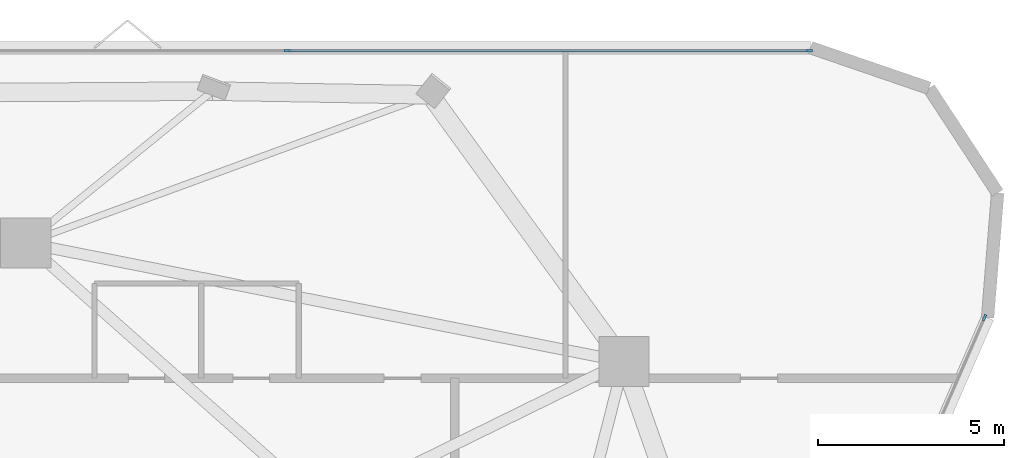
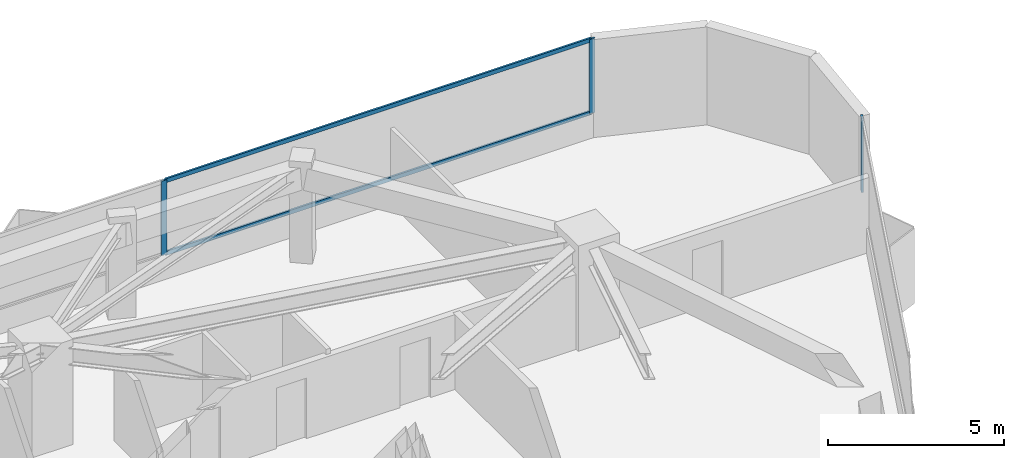
# One storey, part 8 of 12: 5 members, 2 elements without a shape of their own.
"""IFC4 building model written with IfcOpenShell, lengths in metres."""

from ifc_helpers import new_model, si_unit, direction, frame, origin, origin_2d, place, context, subcontext, project, spatial, rectangle, extrude, material, layer, layer_set, material_profile, profile_set, type_object, element, aggregate, save


model = new_model("IFC4")

# Units and contexts
model_context = context("Model", 3, precision=1e-05, world=origin(), true_north=direction((0.0, 1.0)))
body_context = subcontext(model_context, "Body", "Model", "MODEL_VIEW")
ifc_project = project(units=[si_unit("LENGTHUNIT", "METRE"), si_unit("AREAUNIT", "SQUARE_METRE"), si_unit("VOLUMEUNIT", "CUBIC_METRE"), si_unit("PLANEANGLEUNIT", "RADIAN"), si_unit("MASSUNIT", "GRAM", prefix="KILO")], contexts=[model_context])

# Site, building, storey
site_placement = place(None, origin())
site = spatial("IfcSite", under=ifc_project, at=site_placement, CompositionType="ELEMENT")
building_placement = place(site_placement, origin())
building = spatial("IfcBuilding", under=site, at=building_placement, Name="Talyreon Biosciences Tower", CompositionType="ELEMENT")
storey_placement = place(building_placement, frame((0.0, 0.0, 194.0)))
storey = spatial("IfcBuildingStorey", under=building, at=storey_placement, Name="L51", CompositionType="ELEMENT", Elevation=194.0)

# Curtain wall, members
ifc_material_1 = material(Name="Thermally broken aluminium and low-E glazing", Category="aluminium")
ifc_layer = layer(ifc_material_1, 0.179931640625)
ifc_layer_set = layer_set([ifc_layer], Name="Thermally broken aluminium and low-E glazing")
curtain_wall_type = type_object("IfcCurtainWallType", Name="CurtainWall_Zone4Optical", PredefinedType="NOTDEFINED", material=ifc_layer_set)
curtain_wall_1_placement = place(storey_placement, origin())
curtain_wall_1 = element("IfcCurtainWall", 1, at=curtain_wall_1_placement, inside=storey, type_object=curtain_wall_type, Name="L51 Unitised Curtain Wall FCW-L51-04", PredefinedType="NOTDEFINED")
ifc_material_2 = material(Name="Anodised thermally broken aluminium", Category="aluminium")
ifc_material_profile_1 = material_profile(ifc_material_2, rectangle(XDim=0.06494140625, YDim=0.179931640625, at=origin_2d()), Name="ALUM MULLION 65x180")
ifc_profile_set_1 = profile_set([ifc_material_profile_1], Name="Anodised thermally broken aluminium")
member_type_1 = type_object("IfcMemberType", Name="CWMullion_65x180", PredefinedType="MULLION", material=ifc_profile_set_1)
member_1_placement = place(storey_placement, frame((73.043701171875, 86.971923828125, 0.81005859375), z_axis=(0.0, 0.0, 1.0), x_axis=(0.0, 1.0, 0.0)))
member_1 = element("IfcMember", 2, at=member_1_placement, type_object=member_type_1, Name="CW5 mullion 3", PredefinedType="MULLION", context=body_context, shape_type="SweptSolid", body=[
    extrude(rectangle(XDim=0.06494140625, YDim=0.179931640625, at=origin_2d()), origin(), (0.0, 0.0, 1.0), 2.58984375),
])
member_2_placement = place(storey_placement, frame((87.098388671875, 86.971923828125, 0.81005859375), z_axis=(0.0, 0.0, 1.0), x_axis=(0.0, 1.0, 0.0)))
member_2 = element("IfcMember", 3, at=member_2_placement, type_object=member_type_1, Name="CW5 mullion 4", PredefinedType="MULLION", context=body_context, shape_type="SweptSolid", body=[
    extrude(rectangle(XDim=0.06494140625, YDim=0.179931640625, at=origin_2d()), origin(), (0.0, 0.0, 1.0), 2.58984375),
])

# Curtain wall, member
curtain_wall_2_placement = place(storey_placement, origin())
curtain_wall_2 = element("IfcCurtainWall", 4, at=curtain_wall_2_placement, inside=storey, type_object=curtain_wall_type, Name="L51 Unitised Curtain Wall FCW-L51-08", PredefinedType="NOTDEFINED")
member_3_placement = place(storey_placement, frame((91.812744140625, 79.780029296875, 0.81005859375), z_axis=(0.0, 0.0, 1.0), x_axis=(0.917010897502, -0.398862148946, 0.0)))
member_3 = element("IfcMember", 5, at=member_3_placement, type_object=member_type_1, Name="CW5 mullion 1", PredefinedType="MULLION", context=body_context, shape_type="SweptSolid", body=[
    extrude(rectangle(XDim=0.06494140625, YDim=0.179931640625, at=origin_2d()), origin(), (0.0, 0.0, 1.0), 2.58984375),
])
aggregate(curtain_wall_2, [member_3])

# Member
ifc_material_profile_2 = material_profile(ifc_material_2, rectangle(XDim=0.06494140625, YDim=0.139892578125, at=origin_2d()), Name="ALUM TRANSOM 65x140")
ifc_profile_set_2 = profile_set([ifc_material_profile_2], Name="Anodised thermally broken aluminium")
member_type_2 = type_object("IfcMemberType", Name="CWTransom_65x140", PredefinedType="USERDEFINED", material=ifc_profile_set_2)
member_4_placement = place(storey_placement, frame((73.076171875, 86.971923828125, 0.842529296875), z_axis=(1.0, 0.0, 0.0), x_axis=(0.0, 1.0, 0.0)))
member_4 = element("IfcMember", 6, at=member_4_placement, type_object=member_type_2, Name="CW5 transom 3.1", ObjectType="TRANSOM", PredefinedType="USERDEFINED", context=body_context, shape_type="SweptSolid", body=[
    extrude(rectangle(XDim=0.06494140625, YDim=0.139892578125, at=origin_2d()), origin(), (0.0, 0.0, 1.0), 13.98974609375),
])

member_5_placement = place(storey_placement, frame((73.076171875, 86.971923828125, 3.367431640625), z_axis=(1.0, 0.0, 0.0), x_axis=(0.0, 1.0, 0.0)))
member_5 = element("IfcMember", 7, at=member_5_placement, type_object=member_type_2, Name="CW5 transom 3.2", ObjectType="TRANSOM", PredefinedType="USERDEFINED", context=body_context, shape_type="SweptSolid", body=[
    extrude(rectangle(XDim=0.06494140625, YDim=0.139892578125, at=origin_2d()), origin(), (0.0, 0.0, 1.0), 13.98974609375),
])

aggregate(curtain_wall_1, [member_1, member_2, member_4, member_5])

save(model, "model.ifc")
